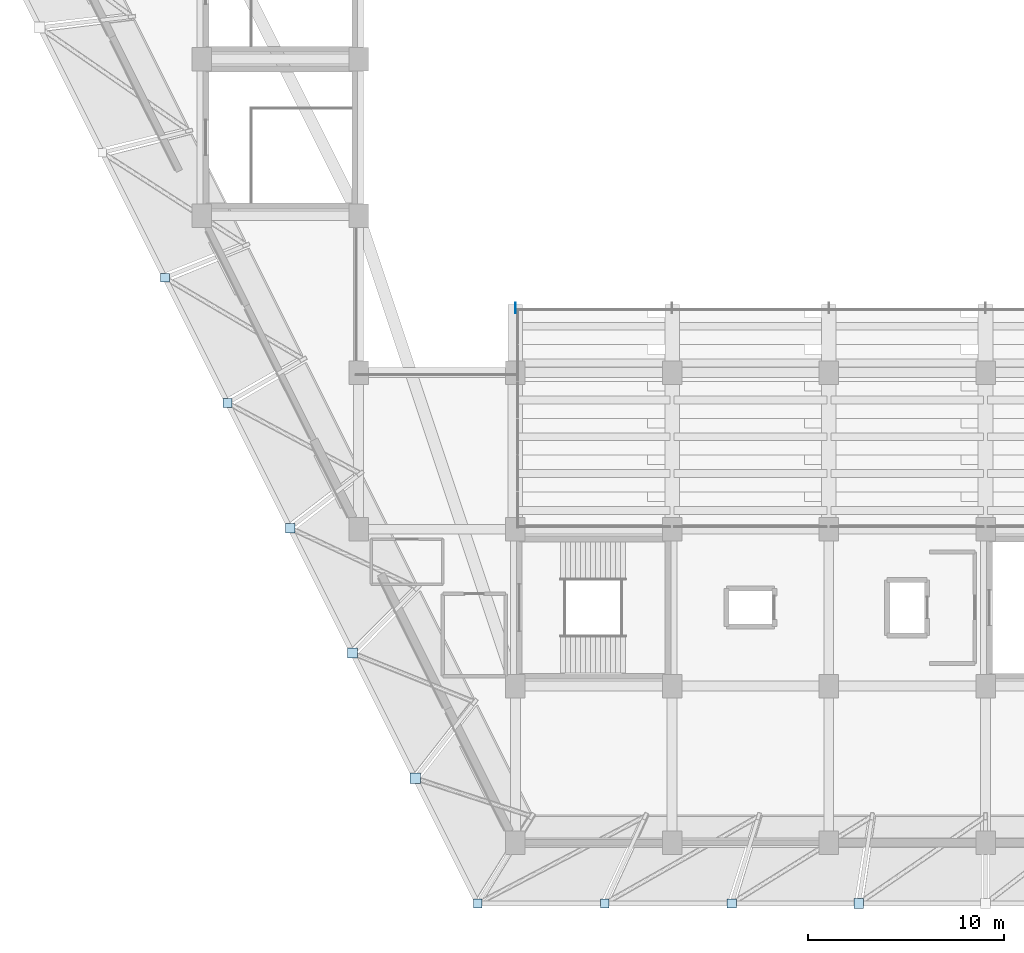
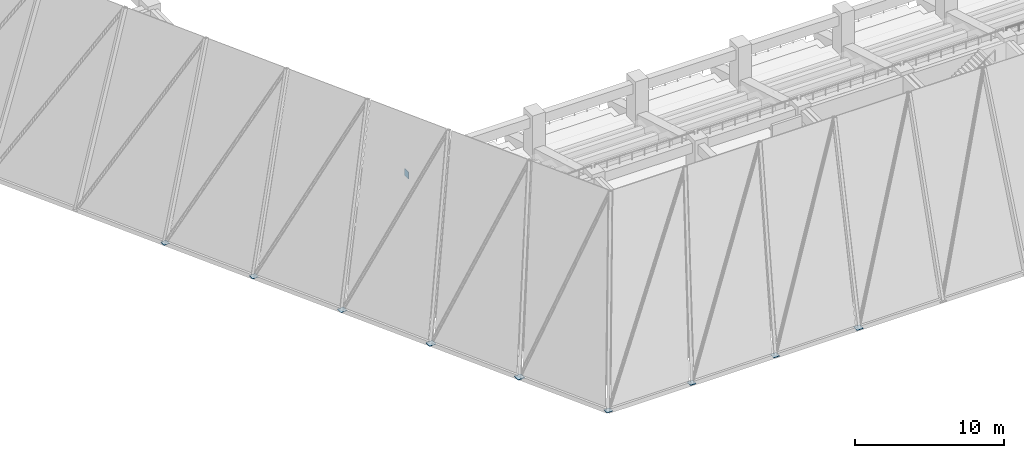
# One storey, part 7 of 24: 10 plates.
"""IFC4 building model written with IfcOpenShell, lengths in metres."""

import ifcopenshell
import ifcopenshell.guid

model = None  # the IFC model being written
_history = None  # IfcOwnerHistory: only IFC2X3 demands one
_inside = {}  # id of a spatial element -> (the spatial element, [elements in it])
_under = {}  # id of a project, library or spatial element -> (it, [spatial elements below it])
_declared = {}  # id of a project -> (the project, [libraries it declares])
_typed = {}  # id of a type object -> (the type object, [elements of that type])
_made_of = {}  # id of a material, layer set ... -> (it, [elements and type objects made of it])


def new_model(schema):
    """Start an empty IFC model of exactly this schema.

    Asked for "IFC4X3", IfcOpenShell would pick the latest addendum, in which some entities
    have other attributes; the version numbers below select the first issue.
    IFC2X3 requires an IfcOwnerHistory on every rooted entity: one is made here for all.
    """
    global model, _history
    if schema == "IFC4X3":
        model = ifcopenshell.file(schema_version=(4, 3, 0, 0))
    else:
        model = ifcopenshell.file(schema=schema)
    _inside.clear()
    _under.clear()
    _declared.clear()
    _typed.clear()
    _made_of.clear()
    _history = None
    if model.schema == "IFC2X3":
        org = make("IfcOrganization", Name="unknown")
        user = make(
            "IfcPersonAndOrganization",
            ThePerson=make("IfcPerson", FamilyName="unknown"),
            TheOrganization=org,
        )
        app = make(
            "IfcApplication",
            ApplicationDeveloper=org,
            Version="unknown",
            ApplicationFullName="unknown",
            ApplicationIdentifier="unknown",
        )
        _history = make(
            "IfcOwnerHistory",
            OwningUser=user,
            OwningApplication=app,
            ChangeAction="ADDED",
            CreationDate=0,
        )
    return model


def make(cls, **values):
    """One entity of the class cls with the attributes given. An attribute that is None is left unset."""
    return model.create_entity(
        cls, **{name: value for name, value in values.items() if value is not None}
    )


def rooted(cls, **values):
    """An entity with a GlobalId (a new one), such as an element, a storey or a relation."""
    return make(cls, GlobalId=ifcopenshell.guid.new(), OwnerHistory=_history, **values)


def si_unit(unit_type, name, prefix=None):
    """IfcSIUnit, for example si_unit("LENGTHUNIT", "METRE", prefix="MILLI")."""
    return make("IfcSIUnit", UnitType=unit_type, Prefix=prefix, Name=name)


def assignment(units):
    """IfcUnitAssignment: the units of a project."""
    return None if units is None else make("IfcUnitAssignment", Units=units)


def point(xyz):
    """IfcCartesianPoint."""
    return None if xyz is None else make("IfcCartesianPoint", Coordinates=xyz)


def direction(xyz):
    """IfcDirection."""
    return None if xyz is None else make("IfcDirection", DirectionRatios=xyz)


def frame(location, z_axis=None, x_axis=None):
    """IfcAxis2Placement3D, a coordinate frame: its origin and axes. An axis left out is left unset."""
    return make(
        "IfcAxis2Placement3D",
        Location=point(location),
        Axis=direction(z_axis),
        RefDirection=direction(x_axis),
    )


def frame_2d(location, x_axis=None):
    """IfcAxis2Placement2D, a coordinate frame in the plane: its origin and x axis."""
    return make(
        "IfcAxis2Placement2D", Location=point(location), RefDirection=direction(x_axis)
    )


def origin():
    """The frame at (0, 0, 0) with its axes left unset."""
    return frame((0.0, 0.0, 0.0))


def origin_2d():
    """The frame at (0, 0) in the plane with its x axis left unset."""
    return frame_2d((0.0, 0.0))


def place(relative_to, where):
    """IfcLocalPlacement: puts the frame where relative to a parent placement (None: the world)."""
    return make(
        "IfcLocalPlacement", PlacementRelTo=relative_to, RelativePlacement=where
    )


def context(
    kind, dimensions, precision=None, world=None, true_north=None, identifier=None
):
    """IfcGeometricRepresentationContext, for example the 3D "Model" context."""
    return make(
        "IfcGeometricRepresentationContext",
        ContextIdentifier=identifier,
        ContextType=kind,
        CoordinateSpaceDimension=dimensions,
        Precision=precision,
        WorldCoordinateSystem=world,
        TrueNorth=true_north,
    )


def subcontext(parent, identifier, kind, view, scale=None):
    """IfcGeometricRepresentationSubContext, for example "Body" below "Model"."""
    return make(
        "IfcGeometricRepresentationSubContext",
        ContextIdentifier=identifier,
        ContextType=kind,
        ParentContext=parent,
        TargetScale=scale,
        TargetView=view,
    )


def project(units=None, contexts=None):
    """IfcProject with its units and contexts."""
    return rooted(
        "IfcProject",
        Name="project",
        RepresentationContexts=contexts,
        UnitsInContext=assignment(units),
    )


def spatial(cls, under=None, at=None, **own):
    """A site, building, storey or space (cls), placed at a placement, below another one or the project."""
    s = rooted(cls, ObjectPlacement=at, **own)
    if under is not None:
        _under.setdefault(under.id(), (under, []))[1].append(s)
    return s


def profile(cls, at=None, kind="AREA", **sizes):
    """A parametric profile (cls). Its sizes go by their IFC names, for example OverallWidth=200.0."""
    return make(cls, ProfileType=kind, Position=at, **sizes)


def rectangle(**sizes):
    """IfcRectangleProfileDef."""
    return profile("IfcRectangleProfileDef", **sizes)


def extrude(swept, where, along, depth):
    """IfcExtrudedAreaSolid: the profile swept, set in the frame where, extruded along a direction by depth."""
    return make(
        "IfcExtrudedAreaSolid",
        SweptArea=swept,
        Position=where,
        ExtrudedDirection=direction(along),
        Depth=depth,
    )


def shape(context_of_items, identifier, shape_type, items):
    """IfcShapeRepresentation: the items that make up one representation, for example the "Body"."""
    return make(
        "IfcShapeRepresentation",
        ContextOfItems=context_of_items,
        RepresentationIdentifier=identifier,
        RepresentationType=shape_type,
        Items=items,
    )


def material(Name=None, Category=None):
    """IfcMaterial."""
    return make("IfcMaterial", Name=Name, Category=Category)


def layer(
    of_material, thickness, ventilated=None, Name=None, Category=None, Priority=None
):
    """IfcMaterialLayer: one layer of a wall or slab, of a material (None: an air gap)."""
    return make(
        "IfcMaterialLayer",
        Material=of_material,
        LayerThickness=thickness,
        IsVentilated=ventilated,
        Name=Name,
        Category=Category,
        Priority=Priority,
    )


def layer_set(layers, Name=None):
    """IfcMaterialLayerSet."""
    return make("IfcMaterialLayerSet", MaterialLayers=layers, LayerSetName=Name)


def made_of(thing, what):
    """Note that an element or type object is made of a material, layer set ...; save() writes the relation."""
    if what is not None:
        _made_of.setdefault(what.id(), (what, []))[1].append(thing)
    return thing


def type_object(cls, material=None, **own):
    """A type object (cls), such as IfcWallType, which elements share."""
    return made_of(rooted(cls, **own), material)


def element(
    cls,
    number,
    at=None,
    inside=None,
    cuts=None,
    type_object=None,
    material=None,
    context=None,
    identifier="Body",
    shape_type=None,
    held_by="IfcProductDefinitionShape",
    body=None,
    shapes=None,
    **own,
):
    """One element of the class cls, such as IfcWall. Its Tag is "e" and its number.

    at: its placement. inside: the storey or other place that contains it. cuts: it is an
    opening in that element (IfcRelVoidsElement). A single representation is given by context,
    identifier, shape_type and body (its items); several are given by shapes. held_by: the class
    of the entity that holds the representations. save() writes the other relations.
    """
    e = rooted(cls, Tag="e%d" % number, ObjectPlacement=at, **own)
    if body is not None:
        shapes = [shape(context, identifier, shape_type, body)]
    if shapes is not None:
        e.Representation = make(held_by, Representations=shapes)
    if inside is not None:
        _inside.setdefault(inside.id(), (inside, []))[1].append(e)
    if cuts is not None:
        rooted(
            "IfcRelVoidsElement", RelatingBuildingElement=cuts, RelatedOpeningElement=e
        )
    if type_object is not None:
        _typed.setdefault(type_object.id(), (type_object, []))[1].append(e)
    return made_of(e, material)


def aggregate(whole, parts):
    """IfcRelAggregates: a whole, such as a stair, and the parts it consists of."""
    return rooted("IfcRelAggregates", RelatingObject=whole, RelatedObjects=parts)


def save(model, path):
    """Write the relations noted so far, then the file.

    IfcRelAggregates (storeys below a building ...), IfcRelContainedInSpatialStructure (elements
    in a storey), IfcRelDefinesByType, IfcRelAssociatesMaterial and IfcRelDeclares: one each for
    every whole, place, type object, material and project.
    """
    for whole, parts in _under.values():
        aggregate(whole, parts)
    for where, things in _inside.values():
        rooted(
            "IfcRelContainedInSpatialStructure",
            RelatedElements=things,
            RelatingStructure=where,
        )
    for kind, things in _typed.values():
        rooted("IfcRelDefinesByType", RelatedObjects=things, RelatingType=kind)
    for what, things in _made_of.values():
        rooted("IfcRelAssociatesMaterial", RelatedObjects=things, RelatingMaterial=what)
    for by, libraries in _declared.values():
        rooted("IfcRelDeclares", RelatingContext=by, RelatedDefinitions=libraries)
    model.write(path)


model = new_model("IFC4")

# Units and contexts
model_context = context("Model", 3, precision=1e-05, world=origin(), true_north=direction((0.0, 1.0)))
body_context = subcontext(model_context, "Body", "Model", "MODEL_VIEW")
ifc_project = project(units=[si_unit("LENGTHUNIT", "METRE"), si_unit("AREAUNIT", "SQUARE_METRE"), si_unit("VOLUMEUNIT", "CUBIC_METRE"), si_unit("PLANEANGLEUNIT", "RADIAN"), si_unit("MASSUNIT", "GRAM", prefix="KILO")], contexts=[model_context])

# Site, building, storey
site_placement = place(None, origin())
site = spatial("IfcSite", under=ifc_project, at=site_placement, CompositionType="ELEMENT")
building_placement = place(site_placement, origin())
building = spatial("IfcBuilding", under=site, at=building_placement, Name="Tazarka Park Arena", CompositionType="ELEMENT")
storey_placement = place(building_placement, frame((0.0, 0.0, 15.0)))
storey = spatial("IfcBuildingStorey", under=building, at=storey_placement, Name="L03", CompositionType="ELEMENT", Elevation=15.0)

# Plates
ifc_material_1 = material(Name="Steel S460", Category="steel")
ifc_layer_1 = layer(ifc_material_1, 0.031982421875, Name="Steel S460")
ifc_layer_set_1 = layer_set([ifc_layer_1], Name="Steel S460")
plate_type_1 = type_object("IfcPlateType", Name="PLT-PL-12", PredefinedType="USERDEFINED", material=ifc_layer_set_1)
plate_1_placement = place(storey_placement, frame((64.0, 43.300048828125, 0.060546875), z_axis=(0.0, 0.0, 1.0), x_axis=(1.0, 0.0, 0.0)))
element("IfcPlate", 1, at=plate_1_placement, inside=storey, type_object=plate_type_1, Name="RKP-S-08-2", ObjectType="STIFFENER", PredefinedType="USERDEFINED", context=body_context, shape_type="SweptSolid", body=[
    extrude(rectangle(XDim=0.031982421875, YDim=0.5400390625, at=origin_2d()), origin(), (0.0, 0.0, 1.0), 0.5400390625),
])
ifc_material_2 = material(Name="Steel S460", Category="steel")
ifc_layer_2 = layer(ifc_material_2, 0.028076171875, Name="Steel S460")
ifc_layer_set_2 = layer_set([ifc_layer_2], Name="Steel S460")
plate_type_2 = type_object("IfcPlateType", Name="PLT-PL-13", PredefinedType="USERDEFINED", material=ifc_layer_set_2)
plate_2_placement = place(storey_placement, frame((62.083984375, 12.89990234375, -0.01416015625), z_axis=(0.0, 0.0, 1.0), x_axis=(1.0, 0.0, 0.0)))
element("IfcPlate", 2, at=plate_2_placement, inside=storey, type_object=plate_type_2, Name="GMP-W-00", ObjectType="STIFFENER", PredefinedType="USERDEFINED", context=body_context, shape_type="SweptSolid", body=[
    extrude(rectangle(XDim=0.43994140625, YDim=0.43994140625, at=origin_2d()), origin(), (0.0, 0.0, 1.0), 0.028076171875),
])
ifc_material_3 = material(Name="Steel S460", Category="steel")
ifc_layer_3 = layer(ifc_material_3, 0.029052734375, Name="Steel S460")
ifc_layer_set_3 = layer_set([ifc_layer_3], Name="Steel S460")
plate_type_3 = type_object("IfcPlateType", Name="PLT-PL-16", PredefinedType="USERDEFINED", material=ifc_layer_set_3)
for number, where, z_axis, x_axis, name in (
    (3, (68.56298828125, 12.89990234375, -0.0146484375), (0.0, 0.0, 1.0), (1.0, 0.0, 0.0), "GMP-W-01"),
    (4, (46.115234375, 44.83740234375, -0.0146484375), (0.0, 0.0, 1.0), (1.0, 0.0, 0.0), "GMP-W-43"),
):
    element("IfcPlate", number, at=place(storey_placement, frame(where, z_axis=z_axis, x_axis=x_axis)), inside=storey, type_object=plate_type_3, Name=name, ObjectType="STIFFENER", PredefinedType="USERDEFINED", context=body_context, shape_type="SweptSolid", body=[
        extrude(rectangle(XDim=0.449951171875, YDim=0.449951171875, at=origin_2d()), origin(), (0.0, 0.0, 1.0), 0.029052734375),
    ])
ifc_material_4 = material(Name="Steel S460", Category="steel")
ifc_layer_4 = layer(ifc_material_4, 0.031005859375, Name="Steel S460")
ifc_layer_set_4 = layer_set([ifc_layer_4], Name="Steel S460")
plate_type_4 = type_object("IfcPlateType", Name="PLT-PL-17", PredefinedType="USERDEFINED", material=ifc_layer_set_4)
for number, where, z_axis, x_axis, name in (
    (5, (75.0419921875, 12.89990234375, -0.015625), (0.0, 0.0, 1.0), (1.0, 0.0, 0.0), "GMP-W-02"),
    (6, (49.30908203125, 38.449951171875, -0.015625), (0.0, 0.0, 1.0), (1.0, 0.0, 0.0), "GMP-W-44"),
):
    element("IfcPlate", number, at=place(storey_placement, frame(where, z_axis=z_axis, x_axis=x_axis)), inside=storey, type_object=plate_type_4, Name=name, ObjectType="STIFFENER", PredefinedType="USERDEFINED", context=body_context, shape_type="SweptSolid", body=[
        extrude(rectangle(XDim=0.469970703125, YDim=0.469970703125, at=origin_2d()), origin(), (0.0, 0.0, 1.0), 0.031005859375),
    ])
ifc_material_5 = material(Name="Steel S460", Category="steel")
ifc_layer_5 = layer(ifc_material_5, 0.032958984375, Name="Steel S460")
ifc_layer_set_5 = layer_set([ifc_layer_5], Name="Steel S460")
plate_type_5 = type_object("IfcPlateType", Name="PLT-PL-18", PredefinedType="USERDEFINED", material=ifc_layer_set_5)
for number, where, z_axis, x_axis, name in (
    (7, (81.52099609375, 12.89990234375, -0.0166015625), (0.0, 0.0, 1.0), (1.0, 0.0, 0.0), "GMP-W-03"),
    (8, (52.5029296875, 32.0625, -0.0166015625), (0.0, 0.0, 1.0), (1.0, 0.0, 0.0), "GMP-W-45"),
):
    element("IfcPlate", number, at=place(storey_placement, frame(where, z_axis=z_axis, x_axis=x_axis)), inside=storey, type_object=plate_type_5, Name=name, ObjectType="STIFFENER", PredefinedType="USERDEFINED", context=body_context, shape_type="SweptSolid", body=[
        extrude(rectangle(XDim=0.489990234375, YDim=0.489990234375, at=origin_2d()), origin(), (0.0, 0.0, 1.0), 0.032958984375),
    ])
ifc_material_6 = material(Name="Steel S460", Category="steel")
ifc_layer_6 = layer(ifc_material_6, 0.034912109375, Name="Steel S460")
ifc_layer_set_6 = layer_set([ifc_layer_6], Name="Steel S460")
plate_type_6 = type_object("IfcPlateType", Name="PLT-PL-19", PredefinedType="USERDEFINED", material=ifc_layer_set_6)
plate_3_placement = place(storey_placement, frame((55.696533203125, 25.675048828125, -0.017578125), z_axis=(0.0, 0.0, 1.0), x_axis=(1.0, 0.0, 0.0)))
element("IfcPlate", 9, at=plate_3_placement, inside=storey, type_object=plate_type_6, Name="GMP-W-46", ObjectType="STIFFENER", PredefinedType="USERDEFINED", context=body_context, shape_type="SweptSolid", body=[
    extrude(rectangle(XDim=0.510009765625, YDim=0.510009765625, at=origin_2d()), origin(), (0.0, 0.0, 1.0), 0.034912109375),
])
ifc_material_7 = material(Name="Steel S460", Category="steel")
ifc_layer_7 = layer(ifc_material_7, 0.037109375, Name="Steel S460")
ifc_layer_set_7 = layer_set([ifc_layer_7], Name="Steel S460")
plate_type_7 = type_object("IfcPlateType", Name="PLT-PL-20", PredefinedType="USERDEFINED", material=ifc_layer_set_7)
plate_4_placement = place(storey_placement, frame((58.890380859375, 19.28759765625, -0.0185546875), z_axis=(0.0, 0.0, 1.0), x_axis=(1.0, 0.0, 0.0)))
element("IfcPlate", 10, at=plate_4_placement, inside=storey, type_object=plate_type_7, Name="GMP-W-47", ObjectType="STIFFENER", PredefinedType="USERDEFINED", context=body_context, shape_type="SweptSolid", body=[
    extrude(rectangle(XDim=0.530029296875, YDim=0.530029296875, at=origin_2d()), origin(), (0.0, 0.0, 1.0), 0.037109375),
])

save(model, "model.ifc")
